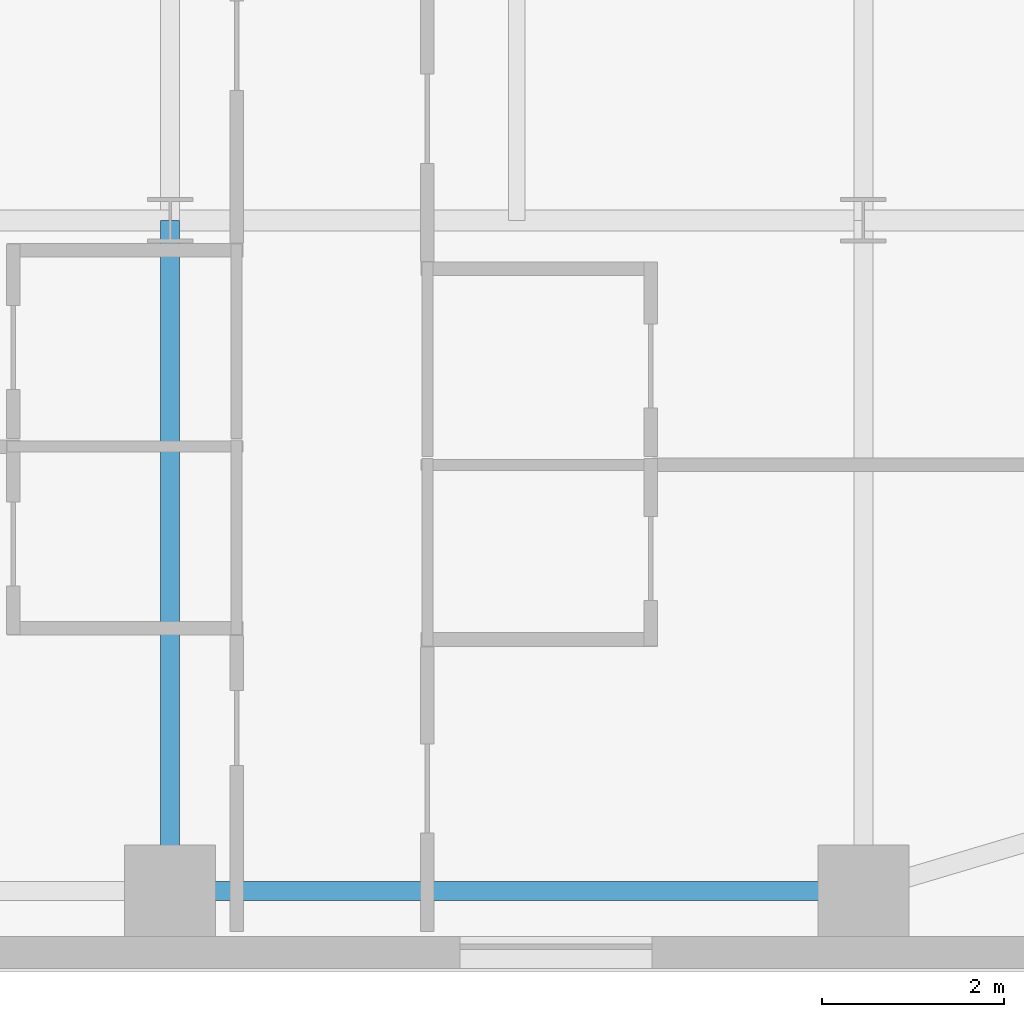
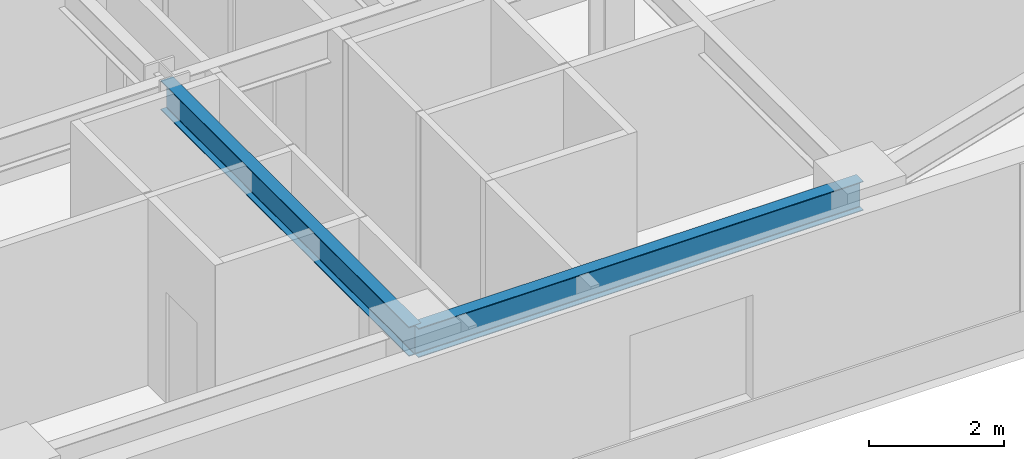
# One storey, part 15 of 37: 2 beams.
"""IFC4 building model written with IfcOpenShell, lengths in metres."""

from ifc_helpers import new_model, si_unit, direction, frame, origin, origin_2d, place, context, subcontext, project, spatial, i_section, extrude, source, transform, mapped, material, material_profile, profile_set, type_object, type_shapes, element, save


model = new_model("IFC4")

# Units and contexts
model_context = context("Model", 3, precision=1e-05, world=origin(), true_north=direction((0.0, 1.0)))
body_context = subcontext(model_context, "Body", "Model", "MODEL_VIEW")
ifc_project = project(units=[si_unit("LENGTHUNIT", "METRE"), si_unit("AREAUNIT", "SQUARE_METRE"), si_unit("VOLUMEUNIT", "CUBIC_METRE"), si_unit("PLANEANGLEUNIT", "RADIAN"), si_unit("MASSUNIT", "GRAM", prefix="KILO")], contexts=[model_context])

# Site, building, storey
site_placement = place(None, origin())
site = spatial("IfcSite", under=ifc_project, at=site_placement, CompositionType="ELEMENT")
building_placement = place(site_placement, origin())
building = spatial("IfcBuilding", under=site, at=building_placement, Name="Tolvann Quenvar Hotel", CompositionType="ELEMENT")
storey_placement = place(building_placement, frame((0.0, 0.0, 53.300048828125)))
storey = spatial("IfcBuildingStorey", under=building, at=storey_placement, Name="L12", CompositionType="ELEMENT", Elevation=53.300048828125)

# Beams
ifc_material = material(Name="Steel Grade 350", Category="steel")
ifc_material_profile_1 = material_profile(ifc_material, i_section(OverallWidth=0.208984375, OverallDepth=0.528076171875, WebThickness=0.009521484375, FlangeThickness=0.01318359375, FilletRadius=0.013916015625, at=origin_2d()), Name="530UB82")
ifc_profile_set_1 = profile_set([ifc_material_profile_1], Name="Steel Grade 350")
beam_type_1 = type_object("IfcBeamType", Name="BM_SPAND_530UB82", PredefinedType="SPANDREL", material=ifc_profile_set_1)
shared_shape_1 = source(origin(), body_context, "Body", "SweptSolid", [
    extrude(i_section(OverallWidth=0.208984375, OverallDepth=0.528076171875, WebThickness=0.009521484375, FlangeThickness=0.01318359375, FilletRadius=0.013916015625, at=origin_2d()), origin(), (0.0, 0.0, 1.0), 7.599853515625),
])
type_shapes(beam_type_1, [shared_shape_1])
beam_1_placement = place(storey_placement, frame((41.800048828125, 0.85009765625, 3.10595703125), z_axis=(1.0, 0.0, 0.0), x_axis=(0.0, 1.0, 0.0)))
element("IfcBeam", 1, at=beam_1_placement, inside=storey, type_object=beam_type_1, Name="BM-L12-EW-2-H2-I2", PredefinedType="SPANDREL", context=body_context, shape_type="MappedRepresentation", body=[
    mapped(shared_shape_1, transform((0.0, 0.0, 0.0), x_axis=(1.0, 0.0, 0.0), y_axis=(0.0, 1.0, 0.0), z_axis=(0.0, 0.0, 1.0), scale=1.0)),
])
ifc_material_profile_2 = material_profile(ifc_material, i_section(OverallWidth=0.208984375, OverallDepth=0.532958984375, WebThickness=0.01025390625, FlangeThickness=0.015625, FilletRadius=0.013916015625, at=origin_2d()), Name="530UB92")
ifc_profile_set_2 = profile_set([ifc_material_profile_2], Name="Steel Grade 350")
beam_type_2 = type_object("IfcBeamType", Name="BM_GIRD_530UB92", PredefinedType="BEAM", material=ifc_profile_set_2)
shared_shape_2 = source(origin(), body_context, "Body", "SweptSolid", [
    extrude(i_section(OverallWidth=0.208984375, OverallDepth=0.532958984375, WebThickness=0.01025390625, FlangeThickness=0.015625, FilletRadius=0.013916015625, at=origin_2d()), origin(), (0.0, 0.0, 1.0), 7.349853515625),
])
type_shapes(beam_type_2, [shared_shape_2])
beam_2_placement = place(storey_placement, frame((41.800048828125, 0.85009765625, 3.103515625), z_axis=(0.0, 1.0, 0.0), x_axis=(-1.0, 0.0, 0.0)))
element("IfcBeam", 2, at=beam_2_placement, inside=storey, type_object=beam_type_2, Name="BM-L12-NS-H2-H3", PredefinedType="BEAM", context=body_context, shape_type="MappedRepresentation", body=[
    mapped(shared_shape_2, transform((0.0, 0.0, 0.0), x_axis=(1.0, 0.0, 0.0), y_axis=(0.0, 1.0, 0.0), z_axis=(0.0, 0.0, 1.0), scale=1.0)),
])

save(model, "model.ifc")
